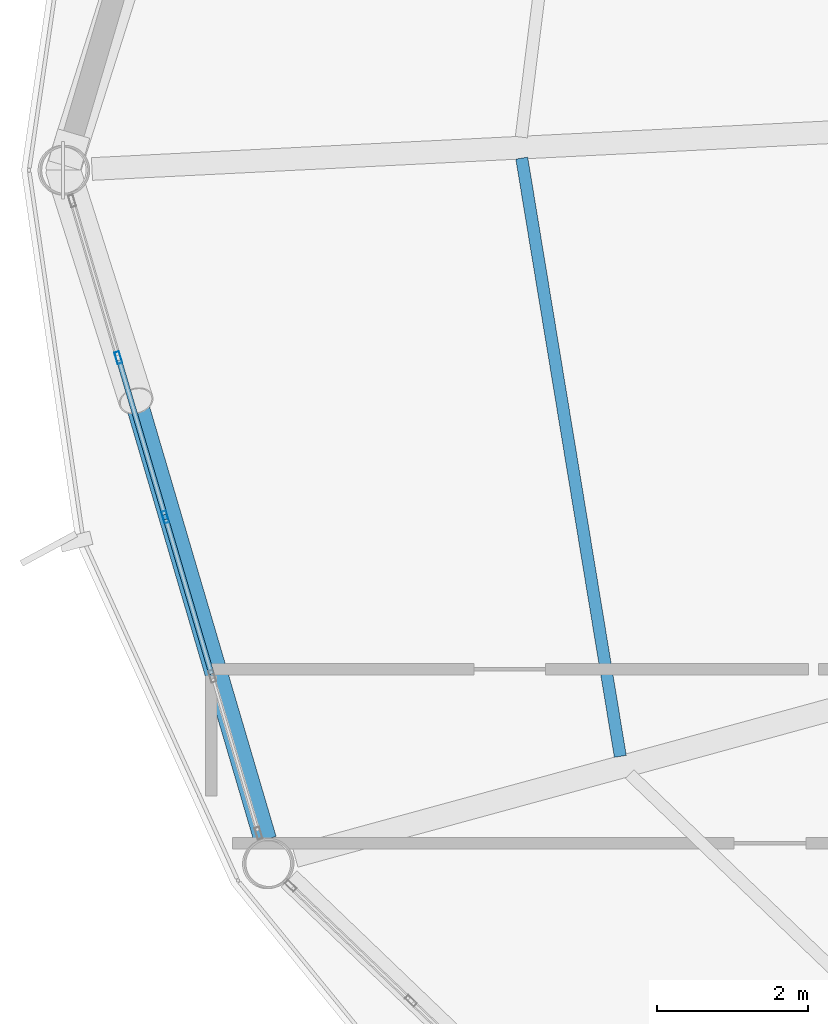
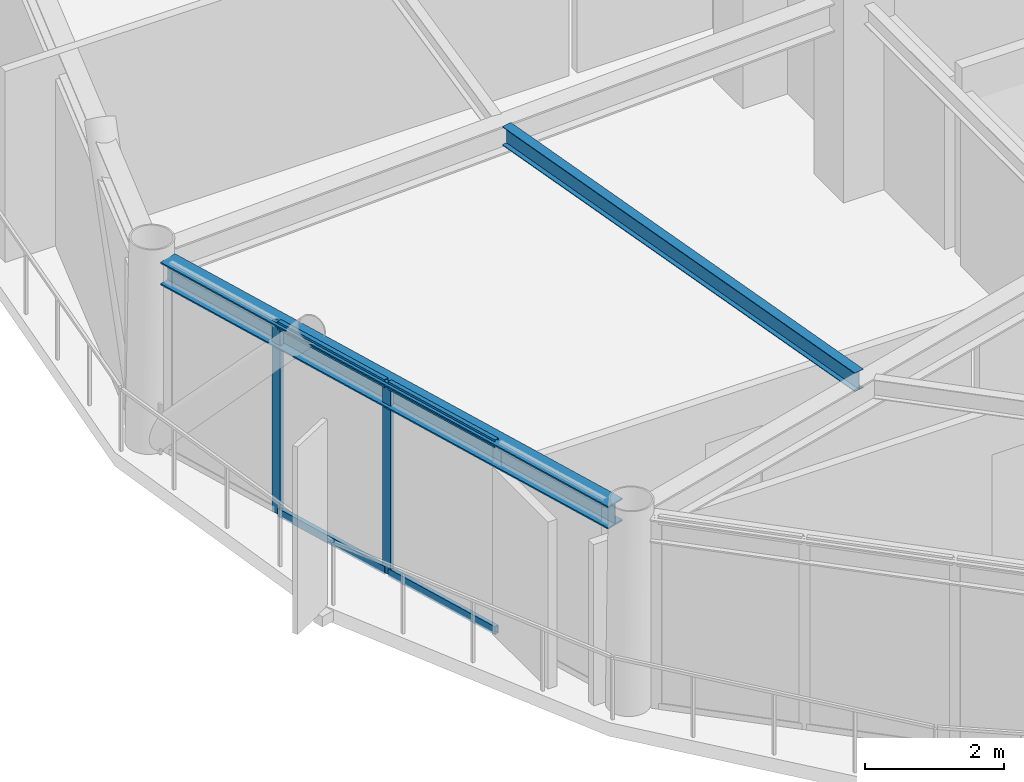
# One storey, part 5 of 28: 6 members, 2 beams, 1 element without a shape of its own.
"""IFC4 building model written with IfcOpenShell, lengths in metres."""

from ifc_helpers import new_model, si_unit, direction, frame, origin, origin_2d, place, context, subcontext, project, spatial, hollow_rectangle, i_section, extrude, material, layer, layer_set, material_profile, profile_set, type_object, element, aggregate, save


model = new_model("IFC4")

# Units and contexts
model_context = context("Model", 3, precision=1e-05, world=origin(), true_north=direction((0.0, 1.0)))
body_context = subcontext(model_context, "Body", "Model", "MODEL_VIEW")
ifc_project = project(units=[si_unit("LENGTHUNIT", "METRE"), si_unit("AREAUNIT", "SQUARE_METRE"), si_unit("VOLUMEUNIT", "CUBIC_METRE"), si_unit("PLANEANGLEUNIT", "RADIAN"), si_unit("MASSUNIT", "GRAM", prefix="KILO")], contexts=[model_context])

# Site, building, storey
site_placement = place(None, origin())
site = spatial("IfcSite", under=ifc_project, at=site_placement, CompositionType="ELEMENT")
building_placement = place(site_placement, origin())
building = spatial("IfcBuilding", under=site, at=building_placement, Name="Varnakorn Sky Granary", CompositionType="ELEMENT")
storey_placement = place(building_placement, frame((0.0, 0.0, 204.0)))
storey = spatial("IfcBuildingStorey", under=building, at=storey_placement, Name="L51", CompositionType="ELEMENT", Elevation=204.0)

# Beams
ifc_material_1 = material(Name="Steel S355JR", Category="steel")
ifc_material_profile_1 = material_profile(ifc_material_1, i_section(OverallWidth=0.159912109375, OverallDepth=0.330078125, WebThickness=0.007568359375, FlangeThickness=0.011474609375, at=origin_2d()), Name="IPE 330")
ifc_profile_set_1 = profile_set([ifc_material_profile_1], Name="Steel S355JR")
beam_type_1 = type_object("IfcBeamType", Name="BM-SEC-Z4", PredefinedType="BEAM", material=ifc_profile_set_1)
beam_1_placement = place(storey_placement, frame((-8.39208984375, 0.15966796875, 3.195068359375), z_axis=(0.162546953141, -0.986700809782, 0.0), x_axis=(0.986700809782, 0.162546953141, 0.0)))
element("IfcBeam", 1, at=beam_1_placement, inside=storey, type_object=beam_type_1, Name="Secondary Floor Chord Beam MSB07 L51", PredefinedType="BEAM", context=body_context, shape_type="SweptSolid", body=[
    extrude(i_section(OverallWidth=0.159912109375, OverallDepth=0.330078125, WebThickness=0.007568359375, FlangeThickness=0.011474609375, at=origin_2d()), origin(), (0.0, 0.0, 1.0), 8.017578125),
])
ifc_material_profile_2 = material_profile(ifc_material_1, i_section(OverallWidth=0.300048828125, OverallDepth=0.39990234375, WebThickness=0.013427734375, FlangeThickness=0.02392578125, at=origin_2d()), Name="HE 400 B")
ifc_profile_set_2 = profile_set([ifc_material_profile_2], Name="Steel S355JR")
beam_type_2 = type_object("IfcBeamType", Name="BM-SPD-Z4", PredefinedType="SPANDREL", material=ifc_profile_set_2)
beam_2_placement = place(storey_placement, frame((-14.301025390625, -0.30224609375, 3.159912109375), z_axis=(0.28237096291, -0.959305289939, 0.0), x_axis=(0.959305289939, 0.28237096291, 0.0)))
element("IfcBeam", 2, at=beam_2_placement, inside=storey, type_object=beam_type_2, Name="Perimeter Spandrel Ring Beam RB07 L51", PredefinedType="SPANDREL", context=body_context, shape_type="SweptSolid", body=[
    extrude(i_section(OverallWidth=0.300048828125, OverallDepth=0.39990234375, WebThickness=0.013427734375, FlangeThickness=0.02392578125, at=origin_2d()), origin(), (0.0, 0.0, 1.0), 8.913330078125),
])

# Curtain wall, members
ifc_material_2 = material(Name="Anodised Bronze Aluminium Alloy 6063-T6", Category="aluminium")
ifc_layer = layer(ifc_material_2, 0.169921875, Name="Anodised Bronze Aluminium Alloy 6063-T6")
ifc_layer_set = layer_set([ifc_layer], Name="Anodised Bronze Aluminium Alloy 6063-T6")
curtain_wall_type = type_object("IfcCurtainWallType", Name="CW-LAB-1", PredefinedType="USERDEFINED", material=ifc_layer_set)
curtain_wall_placement = place(storey_placement, origin())
curtain_wall = element("IfcCurtainWall", 3, at=curtain_wall_placement, inside=storey, type_object=curtain_wall_type, Name="Unitised Curtain Wall CW5 CW-L51-B07", ObjectType="CURTAIN WALL", PredefinedType="USERDEFINED")
ifc_material_profile_3 = material_profile(ifc_material_2, hollow_rectangle(XDim=0.06494140625, YDim=0.159912109375, WallThickness=0.00341796875, at=origin_2d()), Name="ALU MULL 65x160")
ifc_profile_set_3 = profile_set([ifc_material_profile_3], Name="Anodised Bronze Aluminium Alloy 6063-T6")
member_type_1 = type_object("IfcMemberType", Name="CW-LAB-1-MULL", PredefinedType="MULLION", material=ifc_profile_set_3)
member_1_placement = place(storey_placement, frame((-13.106201171875, -4.5859375, 0.0), z_axis=(0.0, 0.0, 1.0), x_axis=(-0.959195433293, -0.282743913729, 0.0)))
member_1 = element("IfcMember", 4, at=member_1_placement, type_object=member_type_1, Name="CW5 mullion 3", PredefinedType="MULLION", context=body_context, shape_type="SweptSolid", body=[
    extrude(hollow_rectangle(XDim=0.06494140625, YDim=0.159912109375, WallThickness=0.00341796875, at=origin_2d()), origin(), (0.0, 0.0, 1.0), 3.360107421875),
])
member_2_placement = place(storey_placement, frame((-13.726806640625, -2.47998046875, 0.0), z_axis=(0.0, 0.0, 1.0), x_axis=(-0.959195433293, -0.282743913729, 0.0)))
member_2 = element("IfcMember", 5, at=member_2_placement, type_object=member_type_1, Name="CW5 mullion 4", PredefinedType="MULLION", context=body_context, shape_type="SweptSolid", body=[
    extrude(hollow_rectangle(XDim=0.06494140625, YDim=0.159912109375, WallThickness=0.00341796875, at=origin_2d()), origin(), (0.0, 0.0, 1.0), 3.360107421875),
])
ifc_material_profile_4 = material_profile(ifc_material_2, hollow_rectangle(XDim=0.070068359375, YDim=0.139892578125, WallThickness=0.00341796875, at=origin_2d()), Name="ALU TRAN 70x140")
ifc_profile_set_4 = profile_set([ifc_material_profile_4], Name="Anodised Bronze Aluminium Alloy 6063-T6")
member_type_2 = type_object("IfcMemberType", Name="CW-LAB-1-TRAN", PredefinedType="USERDEFINED", material=ifc_profile_set_4)
member_3_placement = place(storey_placement, frame((-12.49462890625, -6.660888671875, 0.034912109375), z_axis=(-0.282687400109, 0.959212090113, 0.0), x_axis=(-0.959212090113, -0.282687400109, 0.0)))
member_3 = element("IfcMember", 6, at=member_3_placement, type_object=member_type_2, Name="CW5 transom 2.1", ObjectType="TRANSOM", PredefinedType="USERDEFINED", context=body_context, shape_type="SweptSolid", body=[
    extrude(hollow_rectangle(XDim=0.070068359375, YDim=0.139892578125, WallThickness=0.00341796875, at=origin_2d()), origin(), (0.0, 0.0, 1.0), 2.130615234375),
])
member_4_placement = place(storey_placement, frame((-12.49462890625, -6.660888671875, 3.324951171875), z_axis=(-0.282687400109, 0.959212090113, 0.0), x_axis=(-0.959212090113, -0.282687400109, 0.0)))
member_4 = element("IfcMember", 7, at=member_4_placement, type_object=member_type_2, Name="CW5 transom 2.2", ObjectType="TRANSOM", PredefinedType="USERDEFINED", context=body_context, shape_type="SweptSolid", body=[
    extrude(hollow_rectangle(XDim=0.070068359375, YDim=0.139892578125, WallThickness=0.00341796875, at=origin_2d()), origin(), (0.0, 0.0, 1.0), 2.130615234375),
])
member_5_placement = place(storey_placement, frame((-13.115234375, -4.554931640625, 0.034912109375), z_axis=(-0.282792825564, 0.9591810141, 0.0), x_axis=(-0.9591810141, -0.282792825564, 0.0)))
member_5 = element("IfcMember", 8, at=member_5_placement, type_object=member_type_2, Name="CW5 transom 3.1", ObjectType="TRANSOM", PredefinedType="USERDEFINED", context=body_context, shape_type="SweptSolid", body=[
    extrude(hollow_rectangle(XDim=0.070068359375, YDim=0.139892578125, WallThickness=0.00341796875, at=origin_2d()), origin(), (0.0, 0.0, 1.0), 2.130615234375),
])
member_6_placement = place(storey_placement, frame((-13.115234375, -4.554931640625, 3.324951171875), z_axis=(-0.282792825564, 0.9591810141, 0.0), x_axis=(-0.9591810141, -0.282792825564, 0.0)))
member_6 = element("IfcMember", 9, at=member_6_placement, type_object=member_type_2, Name="CW5 transom 3.2", ObjectType="TRANSOM", PredefinedType="USERDEFINED", context=body_context, shape_type="SweptSolid", body=[
    extrude(hollow_rectangle(XDim=0.070068359375, YDim=0.139892578125, WallThickness=0.00341796875, at=origin_2d()), origin(), (0.0, 0.0, 1.0), 2.130615234375),
])
aggregate(curtain_wall, [member_1, member_2, member_3, member_4, member_5, member_6])

save(model, "model.ifc")
